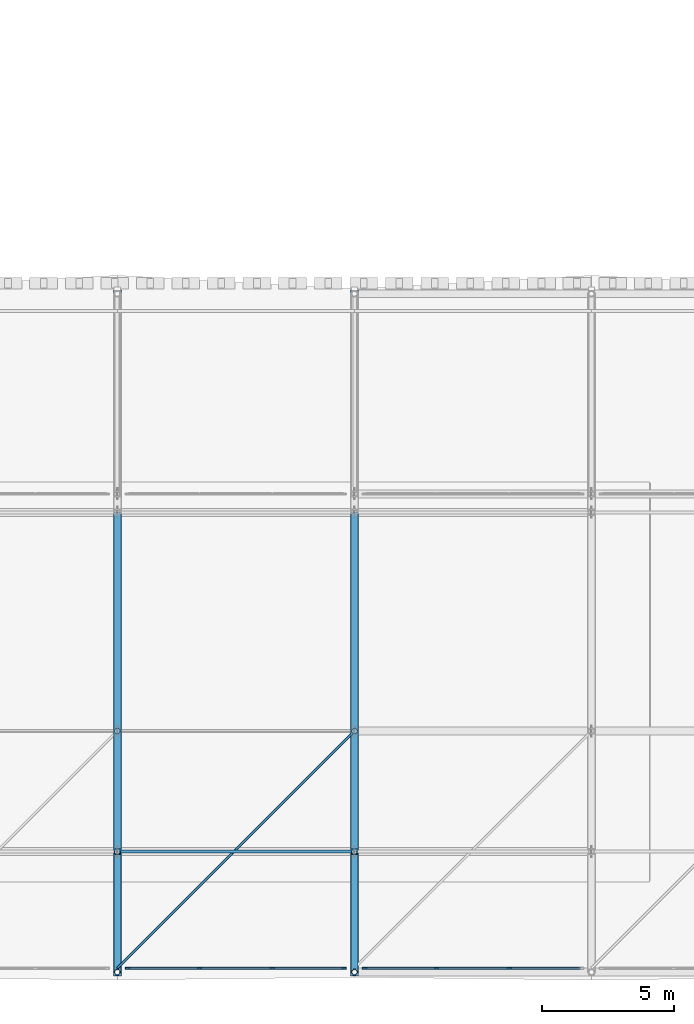
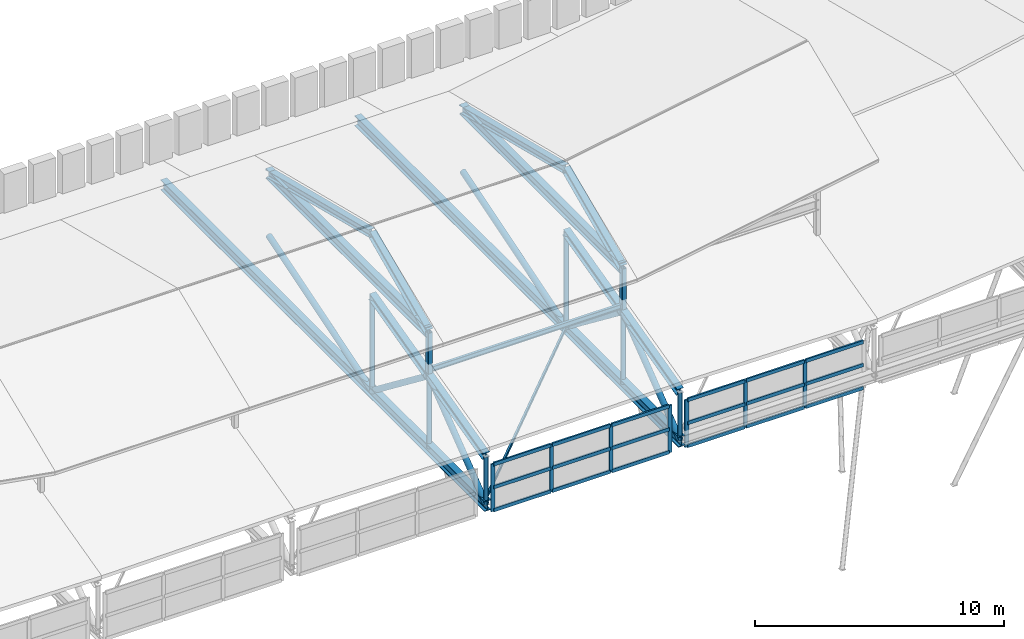
# One storey, part 12 of 42: 47 members, 4 beams, 2 elements without a shape of their own.
"""IFC4 building model written with IfcOpenShell, lengths in metres."""

from ifc_helpers import new_model, si_unit, direction, frame, origin, origin_2d, place, context, subcontext, project, spatial, rectangle, hollow_rectangle, hollow_circle, i_section, extrude, material, material_profile, profile_set, type_object, element, aggregate, save


model = new_model("IFC4")

# Units and contexts
model_context = context("Model", 3, precision=1e-05, world=origin(), true_north=direction((0.0, 1.0)))
body_context = subcontext(model_context, "Body", "Model", "MODEL_VIEW")
ifc_project = project(units=[si_unit("LENGTHUNIT", "METRE"), si_unit("AREAUNIT", "SQUARE_METRE"), si_unit("VOLUMEUNIT", "CUBIC_METRE"), si_unit("PLANEANGLEUNIT", "RADIAN"), si_unit("MASSUNIT", "GRAM", prefix="KILO")], contexts=[model_context])

# Site, building, storey
site_placement = place(None, origin())
site = spatial("IfcSite", under=ifc_project, at=site_placement, CompositionType="ELEMENT")
building_placement = place(site_placement, origin())
building = spatial("IfcBuilding", under=site, at=building_placement, Name="Bozkorgan Art Gallery", CompositionType="ELEMENT")
storey_placement = place(building_placement, frame((0.0, 0.0, 28.800048828125)))
storey = spatial("IfcBuildingStorey", under=building, at=storey_placement, Name="RF", CompositionType="ELEMENT", Elevation=28.800048828125)

# Beams
ifc_material_1 = material(Name="Steel S355J2", Category="steel")
ifc_material_profile_1 = material_profile(ifc_material_1, i_section(OverallWidth=0.300048828125, OverallDepth=0.5, WebThickness=0.014404296875, FlangeThickness=0.028076171875, FilletRadius=0.027099609375, at=origin_2d()), Name="HEB 500")
ifc_profile_set_1 = profile_set([ifc_material_profile_1], Name="Steel S355J2")
beam_type_1 = type_object("IfcBeamType", Name="BEAM-TB-54", PredefinedType="BEAM", material=ifc_profile_set_1)
for number, where, z_axis, x_axis, name in (
    (1, (38.0, 6.425048828125, 5.925048828125), (0.0, 1.0, 0.0), (-1.0, 0.0, 0.0), "V1 stacked upper roof truss 4"),
    (2, (47.0, 6.425048828125, 5.925048828125), (0.0, 1.0, 0.0), (-1.0, 0.0, 0.0), "V1 stacked upper roof truss 5"),
):
    element("IfcBeam", number, at=place(storey_placement, frame(where, z_axis=z_axis, x_axis=x_axis)), inside=storey, type_object=beam_type_1, Name=name, PredefinedType="BEAM", context=body_context, shape_type="SweptSolid", body=[
        extrude(i_section(OverallWidth=0.300048828125, OverallDepth=0.5, WebThickness=0.014404296875, FlangeThickness=0.028076171875, FilletRadius=0.027099609375, at=origin_2d()), origin(), (0.0, 0.0, 1.0), 12.875),
    ])
ifc_material_profile_2 = material_profile(ifc_material_1, i_section(OverallWidth=0.300048828125, OverallDepth=0.5, WebThickness=0.014404296875, FlangeThickness=0.028076171875, FilletRadius=0.027099609375, at=origin_2d()), Name="HEB 500")
ifc_profile_set_2 = profile_set([ifc_material_profile_2], Name="Steel S355J2")
beam_type_2 = type_object("IfcBeamType", Name="BEAM-TO-52", PredefinedType="BEAM", material=ifc_profile_set_2)
for number, where, z_axis, x_axis, name in (
    (3, (38.0, 1.7099609375, 0.25), (0.0, 1.0, 0.0), (-1.0, 0.0, 0.0), "ROOF-V1-MAIN roof truss 5 bottom chord"),
    (4, (47.0, 1.7099609375, 0.25), (0.0, 1.0, 0.0), (-1.0, 0.0, 0.0), "ROOF-V1-MAIN roof truss 6 bottom chord"),
):
    element("IfcBeam", number, at=place(storey_placement, frame(where, z_axis=z_axis, x_axis=x_axis)), inside=storey, type_object=beam_type_2, Name=name, PredefinedType="BEAM", context=body_context, shape_type="SweptSolid", body=[
        extrude(i_section(OverallWidth=0.300048828125, OverallDepth=0.5, WebThickness=0.014404296875, FlangeThickness=0.028076171875, FilletRadius=0.027099609375, at=origin_2d()), origin(), (0.0, 0.0, 1.0), 26.030029296875),
    ])

# Curtain wall, members
ifc_material_2 = material(Name="Anodised Bronze Aluminium", Category="aluminium")
curtain_wall_type = type_object("IfcCurtainWallType", Name="CW-CW-28", PredefinedType="NOTDEFINED", material=ifc_material_2)
curtain_wall_1_placement = place(storey_placement, origin())
curtain_wall_1 = element("IfcCurtainWall", 5, at=curtain_wall_1_placement, inside=storey, type_object=curtain_wall_type, Name="RF unitised curtain wall CW-RF-V1-S-38", PredefinedType="NOTDEFINED")
ifc_material_profile_3 = material_profile(ifc_material_2, rectangle(XDim=0.06494140625, YDim=0.179931640625, at=origin_2d()), Name="ALU MULLION 65x180")
ifc_profile_set_3 = profile_set([ifc_material_profile_3], Name="Anodised Bronze Aluminium")
member_type_1 = type_object("IfcMemberType", Name="CWM-01", PredefinedType="MULLION", material=ifc_profile_set_3)
member_1_placement = place(storey_placement, frame((38.392578125, 2.0, -0.324951171875), z_axis=(0.0, 0.0, 1.0), x_axis=(0.0, 1.0, 0.0)))
member_1 = element("IfcMember", 6, at=member_1_placement, type_object=member_type_1, Name="CW-28 mullion 1", PredefinedType="MULLION", context=body_context, shape_type="SweptSolid", body=[
    extrude(rectangle(XDim=0.06494140625, YDim=0.179931640625, at=origin_2d()), origin(), (0.0, 0.0, 1.0), 2.324951171875),
])
member_2_placement = place(storey_placement, frame((41.1201171875, 2.0, -0.324951171875), z_axis=(0.0, 0.0, 1.0), x_axis=(0.0, 1.0, 0.0)))
member_2 = element("IfcMember", 7, at=member_2_placement, type_object=member_type_1, Name="CW-28 mullion 2", PredefinedType="MULLION", context=body_context, shape_type="SweptSolid", body=[
    extrude(rectangle(XDim=0.06494140625, YDim=0.179931640625, at=origin_2d()), origin(), (0.0, 0.0, 1.0), 2.324951171875),
])
member_3_placement = place(storey_placement, frame((43.8798828125, 2.0, -0.324951171875), z_axis=(0.0, 0.0, 1.0), x_axis=(0.0, 1.0, 0.0)))
member_3 = element("IfcMember", 8, at=member_3_placement, type_object=member_type_1, Name="CW-28 mullion 3", PredefinedType="MULLION", context=body_context, shape_type="SweptSolid", body=[
    extrude(rectangle(XDim=0.06494140625, YDim=0.179931640625, at=origin_2d()), origin(), (0.0, 0.0, 1.0), 2.324951171875),
])
member_4_placement = place(storey_placement, frame((46.607421875, 2.0, -0.324951171875), z_axis=(0.0, 0.0, 1.0), x_axis=(0.0, 1.0, 0.0)))
member_4 = element("IfcMember", 9, at=member_4_placement, type_object=member_type_1, Name="CW-28 mullion 4", PredefinedType="MULLION", context=body_context, shape_type="SweptSolid", body=[
    extrude(rectangle(XDim=0.06494140625, YDim=0.179931640625, at=origin_2d()), origin(), (0.0, 0.0, 1.0), 2.324951171875),
])

curtain_wall_2_placement = place(storey_placement, origin())
curtain_wall_2 = element("IfcCurtainWall", 10, at=curtain_wall_2_placement, inside=storey, type_object=curtain_wall_type, Name="RF unitised curtain wall CW-RF-V1-S-47", PredefinedType="NOTDEFINED")
member_5_placement = place(storey_placement, frame((47.392578125, 2.0, -0.324951171875), z_axis=(0.0, 0.0, 1.0), x_axis=(0.0, 1.0, 0.0)))
member_5 = element("IfcMember", 11, at=member_5_placement, type_object=member_type_1, Name="CW-28 mullion 1", PredefinedType="MULLION", context=body_context, shape_type="SweptSolid", body=[
    extrude(rectangle(XDim=0.06494140625, YDim=0.179931640625, at=origin_2d()), origin(), (0.0, 0.0, 1.0), 2.324951171875),
])
member_6_placement = place(storey_placement, frame((50.1201171875, 2.0, -0.324951171875), z_axis=(0.0, 0.0, 1.0), x_axis=(0.0, 1.0, 0.0)))
member_6 = element("IfcMember", 12, at=member_6_placement, type_object=member_type_1, Name="CW-28 mullion 2", PredefinedType="MULLION", context=body_context, shape_type="SweptSolid", body=[
    extrude(rectangle(XDim=0.06494140625, YDim=0.179931640625, at=origin_2d()), origin(), (0.0, 0.0, 1.0), 2.324951171875),
])
member_7_placement = place(storey_placement, frame((52.8798828125, 2.0, -0.324951171875), z_axis=(0.0, 0.0, 1.0), x_axis=(0.0, 1.0, 0.0)))
member_7 = element("IfcMember", 13, at=member_7_placement, type_object=member_type_1, Name="CW-28 mullion 3", PredefinedType="MULLION", context=body_context, shape_type="SweptSolid", body=[
    extrude(rectangle(XDim=0.06494140625, YDim=0.179931640625, at=origin_2d()), origin(), (0.0, 0.0, 1.0), 2.324951171875),
])

# Member
ifc_material_profile_4 = material_profile(ifc_material_2, rectangle(XDim=0.074951171875, YDim=0.169921875, at=origin_2d()), Name="ALU TRANSOM 75x170")
ifc_profile_set_4 = profile_set([ifc_material_profile_4], Name="Anodised Bronze Aluminium")
member_type_2 = type_object("IfcMemberType", Name="CWT-02", PredefinedType="USERDEFINED", material=ifc_profile_set_4)
member_8_placement = place(storey_placement, frame((38.425048828125, 2.0, -0.28759765625), z_axis=(1.0, 0.0, 0.0), x_axis=(0.0, 1.0, 0.0)))
member_8 = element("IfcMember", 14, at=member_8_placement, type_object=member_type_2, Name="CW-28 transom 1.1", ObjectType="TRANSOM", PredefinedType="USERDEFINED", context=body_context, shape_type="SweptSolid", body=[
    extrude(rectangle(XDim=0.074951171875, YDim=0.169921875, at=origin_2d()), origin(), (0.0, 0.0, 1.0), 2.662353515625),
])

member_9_placement = place(storey_placement, frame((38.425048828125, 2.0, 0.837890625), z_axis=(1.0, 0.0, 0.0), x_axis=(0.0, 1.0, 0.0)))
member_9 = element("IfcMember", 15, at=member_9_placement, type_object=member_type_2, Name="CW-28 transom 1.2", ObjectType="TRANSOM", PredefinedType="USERDEFINED", context=body_context, shape_type="SweptSolid", body=[
    extrude(rectangle(XDim=0.074951171875, YDim=0.169921875, at=origin_2d()), origin(), (0.0, 0.0, 1.0), 2.662353515625),
])

member_10_placement = place(storey_placement, frame((38.425048828125, 2.0, 1.96240234375), z_axis=(1.0, 0.0, 0.0), x_axis=(0.0, 1.0, 0.0)))
member_10 = element("IfcMember", 16, at=member_10_placement, type_object=member_type_2, Name="CW-28 transom 1.3", ObjectType="TRANSOM", PredefinedType="USERDEFINED", context=body_context, shape_type="SweptSolid", body=[
    extrude(rectangle(XDim=0.074951171875, YDim=0.169921875, at=origin_2d()), origin(), (0.0, 0.0, 1.0), 2.662353515625),
])

member_11_placement = place(storey_placement, frame((41.152587890625, 2.0, -0.28759765625), z_axis=(1.0, 0.0, 0.0), x_axis=(0.0, 1.0, 0.0)))
member_11 = element("IfcMember", 17, at=member_11_placement, type_object=member_type_2, Name="CW-28 transom 2.1", ObjectType="TRANSOM", PredefinedType="USERDEFINED", context=body_context, shape_type="SweptSolid", body=[
    extrude(rectangle(XDim=0.074951171875, YDim=0.169921875, at=origin_2d()), origin(), (0.0, 0.0, 1.0), 2.69482421875),
])

member_12_placement = place(storey_placement, frame((41.152587890625, 2.0, 0.837890625), z_axis=(1.0, 0.0, 0.0), x_axis=(0.0, 1.0, 0.0)))
member_12 = element("IfcMember", 18, at=member_12_placement, type_object=member_type_2, Name="CW-28 transom 2.2", ObjectType="TRANSOM", PredefinedType="USERDEFINED", context=body_context, shape_type="SweptSolid", body=[
    extrude(rectangle(XDim=0.074951171875, YDim=0.169921875, at=origin_2d()), origin(), (0.0, 0.0, 1.0), 2.69482421875),
])

member_13_placement = place(storey_placement, frame((41.152587890625, 2.0, 1.96240234375), z_axis=(1.0, 0.0, 0.0), x_axis=(0.0, 1.0, 0.0)))
member_13 = element("IfcMember", 19, at=member_13_placement, type_object=member_type_2, Name="CW-28 transom 2.3", ObjectType="TRANSOM", PredefinedType="USERDEFINED", context=body_context, shape_type="SweptSolid", body=[
    extrude(rectangle(XDim=0.074951171875, YDim=0.169921875, at=origin_2d()), origin(), (0.0, 0.0, 1.0), 2.69482421875),
])

member_14_placement = place(storey_placement, frame((43.91259765625, 2.0, -0.28759765625), z_axis=(1.0, 0.0, 0.0), x_axis=(0.0, 1.0, 0.0)))
member_14 = element("IfcMember", 20, at=member_14_placement, type_object=member_type_2, Name="CW-28 transom 3.1", ObjectType="TRANSOM", PredefinedType="USERDEFINED", context=body_context, shape_type="SweptSolid", body=[
    extrude(rectangle(XDim=0.074951171875, YDim=0.169921875, at=origin_2d()), origin(), (0.0, 0.0, 1.0), 2.662353515625),
])

member_15_placement = place(storey_placement, frame((43.91259765625, 2.0, 0.837890625), z_axis=(1.0, 0.0, 0.0), x_axis=(0.0, 1.0, 0.0)))
member_15 = element("IfcMember", 21, at=member_15_placement, type_object=member_type_2, Name="CW-28 transom 3.2", ObjectType="TRANSOM", PredefinedType="USERDEFINED", context=body_context, shape_type="SweptSolid", body=[
    extrude(rectangle(XDim=0.074951171875, YDim=0.169921875, at=origin_2d()), origin(), (0.0, 0.0, 1.0), 2.662353515625),
])

member_16_placement = place(storey_placement, frame((43.91259765625, 2.0, 1.96240234375), z_axis=(1.0, 0.0, 0.0), x_axis=(0.0, 1.0, 0.0)))
member_16 = element("IfcMember", 22, at=member_16_placement, type_object=member_type_2, Name="CW-28 transom 3.3", ObjectType="TRANSOM", PredefinedType="USERDEFINED", context=body_context, shape_type="SweptSolid", body=[
    extrude(rectangle(XDim=0.074951171875, YDim=0.169921875, at=origin_2d()), origin(), (0.0, 0.0, 1.0), 2.662353515625),
])

aggregate(curtain_wall_1, [member_1, member_2, member_3, member_4, member_8, member_9, member_10, member_11, member_12, member_13, member_14, member_15, member_16])

member_17_placement = place(storey_placement, frame((47.425048828125, 2.0, -0.28759765625), z_axis=(1.0, 0.0, 0.0), x_axis=(0.0, 1.0, 0.0)))
member_17 = element("IfcMember", 23, at=member_17_placement, type_object=member_type_2, Name="CW-28 transom 1.1", ObjectType="TRANSOM", PredefinedType="USERDEFINED", context=body_context, shape_type="SweptSolid", body=[
    extrude(rectangle(XDim=0.074951171875, YDim=0.169921875, at=origin_2d()), origin(), (0.0, 0.0, 1.0), 2.662353515625),
])

member_18_placement = place(storey_placement, frame((47.425048828125, 2.0, 0.837890625), z_axis=(1.0, 0.0, 0.0), x_axis=(0.0, 1.0, 0.0)))
member_18 = element("IfcMember", 24, at=member_18_placement, type_object=member_type_2, Name="CW-28 transom 1.2", ObjectType="TRANSOM", PredefinedType="USERDEFINED", context=body_context, shape_type="SweptSolid", body=[
    extrude(rectangle(XDim=0.074951171875, YDim=0.169921875, at=origin_2d()), origin(), (0.0, 0.0, 1.0), 2.662353515625),
])

member_19_placement = place(storey_placement, frame((47.425048828125, 2.0, 1.96240234375), z_axis=(1.0, 0.0, 0.0), x_axis=(0.0, 1.0, 0.0)))
member_19 = element("IfcMember", 25, at=member_19_placement, type_object=member_type_2, Name="CW-28 transom 1.3", ObjectType="TRANSOM", PredefinedType="USERDEFINED", context=body_context, shape_type="SweptSolid", body=[
    extrude(rectangle(XDim=0.074951171875, YDim=0.169921875, at=origin_2d()), origin(), (0.0, 0.0, 1.0), 2.662353515625),
])

member_20_placement = place(storey_placement, frame((50.152587890625, 2.0, -0.28759765625), z_axis=(1.0, 0.0, 0.0), x_axis=(0.0, 1.0, 0.0)))
member_20 = element("IfcMember", 26, at=member_20_placement, type_object=member_type_2, Name="CW-28 transom 2.1", ObjectType="TRANSOM", PredefinedType="USERDEFINED", context=body_context, shape_type="SweptSolid", body=[
    extrude(rectangle(XDim=0.074951171875, YDim=0.169921875, at=origin_2d()), origin(), (0.0, 0.0, 1.0), 2.69482421875),
])

member_21_placement = place(storey_placement, frame((50.152587890625, 2.0, 0.837890625), z_axis=(1.0, 0.0, 0.0), x_axis=(0.0, 1.0, 0.0)))
member_21 = element("IfcMember", 27, at=member_21_placement, type_object=member_type_2, Name="CW-28 transom 2.2", ObjectType="TRANSOM", PredefinedType="USERDEFINED", context=body_context, shape_type="SweptSolid", body=[
    extrude(rectangle(XDim=0.074951171875, YDim=0.169921875, at=origin_2d()), origin(), (0.0, 0.0, 1.0), 2.69482421875),
])

member_22_placement = place(storey_placement, frame((50.152587890625, 2.0, 1.96240234375), z_axis=(1.0, 0.0, 0.0), x_axis=(0.0, 1.0, 0.0)))
member_22 = element("IfcMember", 28, at=member_22_placement, type_object=member_type_2, Name="CW-28 transom 2.3", ObjectType="TRANSOM", PredefinedType="USERDEFINED", context=body_context, shape_type="SweptSolid", body=[
    extrude(rectangle(XDim=0.074951171875, YDim=0.169921875, at=origin_2d()), origin(), (0.0, 0.0, 1.0), 2.69482421875),
])

member_23_placement = place(storey_placement, frame((52.91259765625, 2.0, -0.28759765625), z_axis=(1.0, 0.0, 0.0), x_axis=(0.0, 1.0, 0.0)))
member_23 = element("IfcMember", 29, at=member_23_placement, type_object=member_type_2, Name="CW-28 transom 3.1", ObjectType="TRANSOM", PredefinedType="USERDEFINED", context=body_context, shape_type="SweptSolid", body=[
    extrude(rectangle(XDim=0.074951171875, YDim=0.169921875, at=origin_2d()), origin(), (0.0, 0.0, 1.0), 2.662353515625),
])

member_24_placement = place(storey_placement, frame((52.91259765625, 2.0, 0.837890625), z_axis=(1.0, 0.0, 0.0), x_axis=(0.0, 1.0, 0.0)))
member_24 = element("IfcMember", 30, at=member_24_placement, type_object=member_type_2, Name="CW-28 transom 3.2", ObjectType="TRANSOM", PredefinedType="USERDEFINED", context=body_context, shape_type="SweptSolid", body=[
    extrude(rectangle(XDim=0.074951171875, YDim=0.169921875, at=origin_2d()), origin(), (0.0, 0.0, 1.0), 2.662353515625),
])

member_25_placement = place(storey_placement, frame((52.91259765625, 2.0, 1.96240234375), z_axis=(1.0, 0.0, 0.0), x_axis=(0.0, 1.0, 0.0)))
member_25 = element("IfcMember", 31, at=member_25_placement, type_object=member_type_2, Name="CW-28 transom 3.3", ObjectType="TRANSOM", PredefinedType="USERDEFINED", context=body_context, shape_type="SweptSolid", body=[
    extrude(rectangle(XDim=0.074951171875, YDim=0.169921875, at=origin_2d()), origin(), (0.0, 0.0, 1.0), 2.662353515625),
])

aggregate(curtain_wall_2, [member_5, member_6, member_7, member_17, member_18, member_19, member_20, member_21, member_22, member_23, member_24, member_25])

# Members
ifc_material_profile_5 = material_profile(ifc_material_1, hollow_rectangle(XDim=0.219970703125, YDim=0.219970703125, WallThickness=0.012451171875, InnerFilletRadius=0.018798828125, OuterFilletRadius=0.03125, at=origin_2d()), Name="SHS 220x220x12.5")
ifc_profile_set_5 = profile_set([ifc_material_profile_5], Name="Steel S355J2")
member_type_3 = type_object("IfcMemberType", Name="MEMBER-CP-34", PredefinedType="POST", material=ifc_profile_set_5)
for number, where, z_axis, x_axis, name in (
    (32, (38.0, 6.425048828125, 3.76953125), (0.0, 0.0, 1.0), (1.0, 0.0, 0.0), "V1 upper clerestory truss post 4S"),
    (33, (47.0, 6.425048828125, 3.76953125), (0.0, 0.0, 1.0), (1.0, 0.0, 0.0), "V1 upper clerestory truss post 5S"),
):
    element("IfcMember", number, at=place(storey_placement, frame(where, z_axis=z_axis, x_axis=x_axis)), inside=storey, type_object=member_type_3, Name=name, PredefinedType="POST", context=body_context, shape_type="SweptSolid", body=[
        extrude(hollow_rectangle(XDim=0.219970703125, YDim=0.219970703125, WallThickness=0.012451171875, InnerFilletRadius=0.018798828125, OuterFilletRadius=0.03125, at=origin_2d()), origin(), (0.0, 0.0, 1.0), 2.155517578125),
    ])
ifc_material_profile_6 = material_profile(ifc_material_1, i_section(OverallWidth=0.1201171875, OverallDepth=0.239990234375, WebThickness=0.006103515625, FlangeThickness=0.009765625, FilletRadius=0.014892578125, at=origin_2d()), Name="IPE 240")
ifc_profile_set_6 = profile_set([ifc_material_profile_6], Name="Steel S355J2")
member_type_4 = type_object("IfcMemberType", Name="MEMBER-PR-34", PredefinedType="PURLIN", material=ifc_profile_set_6)
member_26_placement = place(storey_placement, frame((38.0, 6.425048828125, 4.064453125), z_axis=(1.0, 0.0, 0.0), x_axis=(0.0, 1.0, 0.0)))
element("IfcMember", 34, at=member_26_placement, inside=storey, type_object=member_type_4, Name="ROOF-V1-MAIN roof purlin 5S", PredefinedType="PURLIN", context=body_context, shape_type="SweptSolid", body=[
    extrude(i_section(OverallWidth=0.1201171875, OverallDepth=0.239990234375, WebThickness=0.006103515625, FlangeThickness=0.009765625, FilletRadius=0.014892578125, at=origin_2d()), origin(), (0.0, 0.0, 1.0), 9.0),
])
ifc_material_profile_7 = material_profile(ifc_material_1, i_section(OverallWidth=0.300048828125, OverallDepth=0.35009765625, WebThickness=0.010009765625, FlangeThickness=0.017578125, FilletRadius=0.027099609375, at=origin_2d()), Name="HEA 360")
ifc_profile_set_7 = profile_set([ifc_material_profile_7], Name="Steel S355J2")
member_type_5 = type_object("IfcMemberType", Name="MEMBER-TC-31", PredefinedType="CHORD", material=ifc_profile_set_7)
for number, where, z_axis, x_axis, name in (
    (35, (38.0, 1.85009765625, 2.61181640625), (0.0, 0.969441609257, 0.245322168264), (-1.0, 0.0, 0.0), "ROOF-V1-MAIN roof truss 5 south top chord"),
    (36, (47.0, 1.85009765625, 2.61181640625), (0.0, 0.969441609257, 0.245322168264), (-1.0, 0.0, 0.0), "ROOF-V1-MAIN roof truss 6 south top chord"),
):
    element("IfcMember", number, at=place(storey_placement, frame(where, z_axis=z_axis, x_axis=x_axis)), inside=storey, type_object=member_type_5, Name=name, PredefinedType="CHORD", context=body_context, shape_type="SweptSolid", body=[
        extrude(i_section(OverallWidth=0.300048828125, OverallDepth=0.35009765625, WebThickness=0.010009765625, FlangeThickness=0.017578125, FilletRadius=0.027099609375, at=origin_2d()), origin(), (0.0, 0.0, 1.0), 9.438232421875),
    ])
member_27_placement = place(storey_placement, frame((38.0, 6.425048828125, 5.925048828125), z_axis=(0.0, 0.911129223814, 0.412120780247), x_axis=(-1.0, 0.0, 0.0)))
element("IfcMember", 37, at=member_27_placement, inside=storey, type_object=member_type_5, Name="V1 stacked upper south chord 4", PredefinedType="CHORD", context=body_context, shape_type="SweptSolid", body=[
    extrude(i_section(OverallWidth=0.300048828125, OverallDepth=0.35009765625, WebThickness=0.010009765625, FlangeThickness=0.017578125, FilletRadius=0.027099609375, at=origin_2d()), origin(), (0.0, 0.0, 1.0), 5.021240234375),
])
member_28_placement = place(storey_placement, frame((38.0, 11.0, 7.994384765625), z_axis=(0.0, 0.970298433578, -0.241911036945), x_axis=(-1.0, 0.0, 0.0)))
element("IfcMember", 38, at=member_28_placement, inside=storey, type_object=member_type_5, Name="V1 stacked upper north chord 4", PredefinedType="CHORD", context=body_context, shape_type="SweptSolid", body=[
    extrude(i_section(OverallWidth=0.300048828125, OverallDepth=0.35009765625, WebThickness=0.010009765625, FlangeThickness=0.017578125, FilletRadius=0.027099609375, at=origin_2d()), origin(), (0.0, 0.0, 1.0), 8.55419921875),
])
member_29_placement = place(storey_placement, frame((47.0, 6.425048828125, 5.925048828125), z_axis=(0.0, 0.911129223814, 0.412120780247), x_axis=(-1.0, 0.0, 0.0)))
element("IfcMember", 39, at=member_29_placement, inside=storey, type_object=member_type_5, Name="V1 stacked upper south chord 5", PredefinedType="CHORD", context=body_context, shape_type="SweptSolid", body=[
    extrude(i_section(OverallWidth=0.300048828125, OverallDepth=0.35009765625, WebThickness=0.010009765625, FlangeThickness=0.017578125, FilletRadius=0.027099609375, at=origin_2d()), origin(), (0.0, 0.0, 1.0), 5.021240234375),
])
member_30_placement = place(storey_placement, frame((47.0, 11.0, 7.994384765625), z_axis=(0.0, 0.970298433578, -0.241911036945), x_axis=(-1.0, 0.0, 0.0)))
element("IfcMember", 40, at=member_30_placement, inside=storey, type_object=member_type_5, Name="V1 stacked upper north chord 5", PredefinedType="CHORD", context=body_context, shape_type="SweptSolid", body=[
    extrude(i_section(OverallWidth=0.300048828125, OverallDepth=0.35009765625, WebThickness=0.010009765625, FlangeThickness=0.017578125, FilletRadius=0.027099609375, at=origin_2d()), origin(), (0.0, 0.0, 1.0), 8.55419921875),
])
ifc_material_profile_8 = material_profile(ifc_material_1, hollow_circle(Radius=0.109619140625, WallThickness=0.010009765625, at=origin_2d()), Name="CHS 219.1x10")
ifc_profile_set_8 = profile_set([ifc_material_profile_8], Name="Steel S355J2")
member_type_6 = type_object("IfcMemberType", Name="MEMBER-TP-78", PredefinedType="POST", material=ifc_profile_set_8)
member_31_placement = place(storey_placement, frame((38.0, 1.85009765625, 0.25), z_axis=(0.0, 0.0, 1.0), x_axis=(1.0, 0.0, 0.0)))
element("IfcMember", 41, at=member_31_placement, inside=storey, type_object=member_type_6, Name="ROOF-V1-MAIN roof truss 5 post 0", PredefinedType="POST", context=body_context, shape_type="SweptSolid", body=[
    extrude(hollow_circle(Radius=0.109619140625, WallThickness=0.010009765625, at=origin_2d()), origin(), (0.0, 0.0, 1.0), 2.36181640625),
])
member_32_placement = place(storey_placement, frame((38.0, 6.425048828125, 0.25), z_axis=(0.0, 0.0, 1.0), x_axis=(1.0, 0.0, 0.0)))
element("IfcMember", 42, at=member_32_placement, inside=storey, type_object=member_type_6, Name="ROOF-V1-MAIN roof truss 5 post 1", PredefinedType="POST", context=body_context, shape_type="SweptSolid", body=[
    extrude(hollow_circle(Radius=0.109619140625, WallThickness=0.010009765625, at=origin_2d()), origin(), (0.0, 0.0, 1.0), 3.51953125),
])
member_33_placement = place(storey_placement, frame((38.0, 11.0, 0.25), z_axis=(0.0, 0.0, 1.0), x_axis=(1.0, 0.0, 0.0)))
element("IfcMember", 43, at=member_33_placement, inside=storey, type_object=member_type_6, Name="ROOF-V1-MAIN roof truss 5 post 2", PredefinedType="POST", context=body_context, shape_type="SweptSolid", body=[
    extrude(hollow_circle(Radius=0.109619140625, WallThickness=0.010009765625, at=origin_2d()), origin(), (0.0, 0.0, 1.0), 4.67724609375),
])
member_34_placement = place(storey_placement, frame((47.0, 1.85009765625, 0.25), z_axis=(0.0, 0.0, 1.0), x_axis=(1.0, 0.0, 0.0)))
element("IfcMember", 44, at=member_34_placement, inside=storey, type_object=member_type_6, Name="ROOF-V1-MAIN roof truss 6 post 0", PredefinedType="POST", context=body_context, shape_type="SweptSolid", body=[
    extrude(hollow_circle(Radius=0.109619140625, WallThickness=0.010009765625, at=origin_2d()), origin(), (0.0, 0.0, 1.0), 2.36181640625),
])
member_35_placement = place(storey_placement, frame((47.0, 6.425048828125, 0.25), z_axis=(0.0, 0.0, 1.0), x_axis=(1.0, 0.0, 0.0)))
element("IfcMember", 45, at=member_35_placement, inside=storey, type_object=member_type_6, Name="ROOF-V1-MAIN roof truss 6 post 1", PredefinedType="POST", context=body_context, shape_type="SweptSolid", body=[
    extrude(hollow_circle(Radius=0.109619140625, WallThickness=0.010009765625, at=origin_2d()), origin(), (0.0, 0.0, 1.0), 3.51953125),
])
member_36_placement = place(storey_placement, frame((47.0, 11.0, 0.25), z_axis=(0.0, 0.0, 1.0), x_axis=(1.0, 0.0, 0.0)))
element("IfcMember", 46, at=member_36_placement, inside=storey, type_object=member_type_6, Name="ROOF-V1-MAIN roof truss 6 post 2", PredefinedType="POST", context=body_context, shape_type="SweptSolid", body=[
    extrude(hollow_circle(Radius=0.109619140625, WallThickness=0.010009765625, at=origin_2d()), origin(), (0.0, 0.0, 1.0), 4.67724609375),
])
ifc_material_profile_9 = material_profile(ifc_material_1, hollow_circle(Radius=0.136474609375, WallThickness=0.012451171875, at=origin_2d()), Name="CHS 273x12.5")
ifc_profile_set_9 = profile_set([ifc_material_profile_9], Name="Steel S355J2")
member_type_7 = type_object("IfcMemberType", Name="MEMBER-TW-28", PredefinedType="BRACE", material=ifc_profile_set_9)
for number, where, z_axis, x_axis, name in (
    (47, (38.0, 1.85009765625, 0.25), (0.0, 0.792595685704, 0.609747553504), (-1.0, 0.0, 0.0), "ROOF-V1-MAIN roof truss 5 diagonal 1"),
    (48, (38.0, 6.425048828125, 3.76953125), (0.0, 0.792595685704, -0.609747553504), (-1.0, 0.0, 0.0), "ROOF-V1-MAIN roof truss 5 diagonal 2"),
):
    element("IfcMember", number, at=place(storey_placement, frame(where, z_axis=z_axis, x_axis=x_axis)), inside=storey, type_object=member_type_7, Name=name, PredefinedType="BRACE", context=body_context, shape_type="SweptSolid", body=[
        extrude(hollow_circle(Radius=0.136474609375, WallThickness=0.012451171875, at=origin_2d()), origin(), (0.0, 0.0, 1.0), 5.772216796875),
    ])
member_37_placement = place(storey_placement, frame((38.0, 11.0, 0.25), z_axis=(0.0, 0.955030676721, 0.29650700923), x_axis=(-1.0, 0.0, 0.0)))
element("IfcMember", 49, at=member_37_placement, inside=storey, type_object=member_type_7, Name="ROOF-V1-MAIN roof truss 5 diagonal 3", PredefinedType="BRACE", context=body_context, shape_type="SweptSolid", body=[
    extrude(hollow_circle(Radius=0.136474609375, WallThickness=0.012451171875, at=origin_2d()), origin(), (0.0, 0.0, 1.0), 8.69091796875),
])
for number, where, z_axis, x_axis, name in (
    (50, (47.0, 1.85009765625, 0.25), (0.0, 0.792595685704, 0.609747553504), (-1.0, 0.0, 0.0), "ROOF-V1-MAIN roof truss 6 diagonal 1"),
    (51, (47.0, 6.425048828125, 3.76953125), (0.0, 0.792595685704, -0.609747553504), (-1.0, 0.0, 0.0), "ROOF-V1-MAIN roof truss 6 diagonal 2"),
):
    element("IfcMember", number, at=place(storey_placement, frame(where, z_axis=z_axis, x_axis=x_axis)), inside=storey, type_object=member_type_7, Name=name, PredefinedType="BRACE", context=body_context, shape_type="SweptSolid", body=[
        extrude(hollow_circle(Radius=0.136474609375, WallThickness=0.012451171875, at=origin_2d()), origin(), (0.0, 0.0, 1.0), 5.772216796875),
    ])
member_38_placement = place(storey_placement, frame((47.0, 11.0, 0.25), z_axis=(0.0, 0.955030676721, 0.29650700923), x_axis=(-1.0, 0.0, 0.0)))
element("IfcMember", 52, at=member_38_placement, inside=storey, type_object=member_type_7, Name="ROOF-V1-MAIN roof truss 6 diagonal 3", PredefinedType="BRACE", context=body_context, shape_type="SweptSolid", body=[
    extrude(hollow_circle(Radius=0.136474609375, WallThickness=0.012451171875, at=origin_2d()), origin(), (0.0, 0.0, 1.0), 8.69091796875),
])
ifc_material_profile_10 = material_profile(ifc_material_1, hollow_rectangle(XDim=0.10009765625, YDim=0.14990234375, WallThickness=0.008056640625, InnerFilletRadius=0.011962890625, OuterFilletRadius=0.02001953125, at=origin_2d()), Name="RHS 150x100x8")
ifc_profile_set_10 = profile_set([ifc_material_profile_10], Name="Steel S355J2")
member_type_8 = type_object("IfcMemberType", Name="MEMBER-WB-10", PredefinedType="BRACE", material=ifc_profile_set_10)
member_39_placement = place(storey_placement, frame((38.0, 2.0, 0.25), z_axis=(0.707106781187, 0.707106781187, 0.0), x_axis=(-0.707106781187, 0.707106781187, 0.0)))
element("IfcMember", 53, at=member_39_placement, inside=storey, type_object=member_type_8, Name="ROOF-V1-MAIN roof diaphragm wind brace 5", PredefinedType="BRACE", context=body_context, shape_type="SweptSolid", body=[
    extrude(hollow_rectangle(XDim=0.10009765625, YDim=0.14990234375, WallThickness=0.008056640625, InnerFilletRadius=0.011962890625, OuterFilletRadius=0.02001953125, at=origin_2d()), origin(), (0.0, 0.0, 1.0), 12.72802734375),
])

save(model, "model.ifc")
